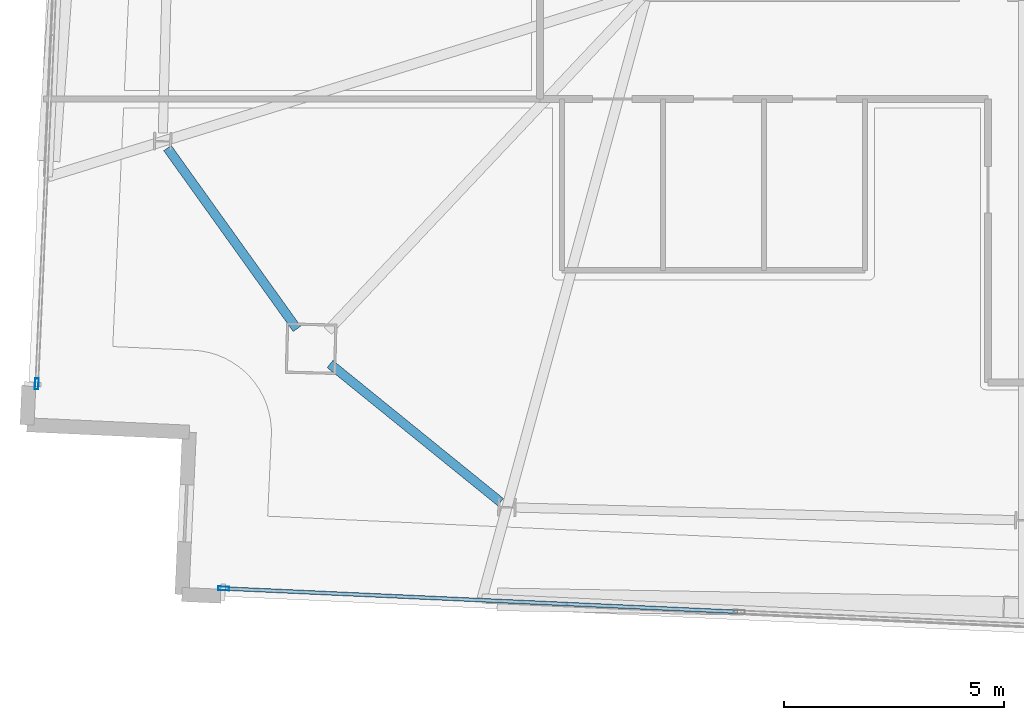
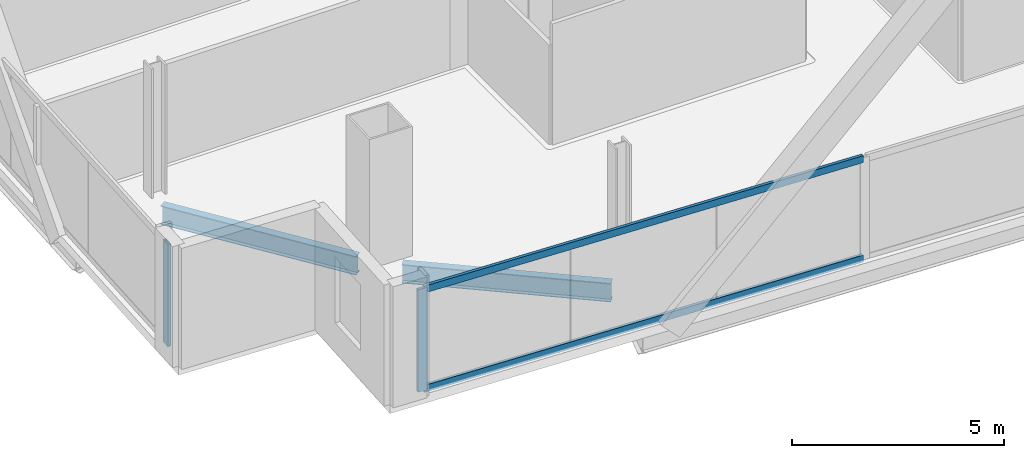
# One storey, part 2 of 26: 4 members, 2 beams, 2 elements without a shape of their own.
"""IFC4 building model written with IfcOpenShell, lengths in metres."""

import ifcopenshell
import ifcopenshell.guid

model = None  # the IFC model being written
_history = None  # IfcOwnerHistory: only IFC2X3 demands one
_inside = {}  # id of a spatial element -> (the spatial element, [elements in it])
_under = {}  # id of a project, library or spatial element -> (it, [spatial elements below it])
_declared = {}  # id of a project -> (the project, [libraries it declares])
_typed = {}  # id of a type object -> (the type object, [elements of that type])
_made_of = {}  # id of a material, layer set ... -> (it, [elements and type objects made of it])


def new_model(schema):
    """Start an empty IFC model of exactly this schema.

    Asked for "IFC4X3", IfcOpenShell would pick the latest addendum, in which some entities
    have other attributes; the version numbers below select the first issue.
    IFC2X3 requires an IfcOwnerHistory on every rooted entity: one is made here for all.
    """
    global model, _history
    if schema == "IFC4X3":
        model = ifcopenshell.file(schema_version=(4, 3, 0, 0))
    else:
        model = ifcopenshell.file(schema=schema)
    _inside.clear()
    _under.clear()
    _declared.clear()
    _typed.clear()
    _made_of.clear()
    _history = None
    if model.schema == "IFC2X3":
        org = make("IfcOrganization", Name="unknown")
        user = make(
            "IfcPersonAndOrganization",
            ThePerson=make("IfcPerson", FamilyName="unknown"),
            TheOrganization=org,
        )
        app = make(
            "IfcApplication",
            ApplicationDeveloper=org,
            Version="unknown",
            ApplicationFullName="unknown",
            ApplicationIdentifier="unknown",
        )
        _history = make(
            "IfcOwnerHistory",
            OwningUser=user,
            OwningApplication=app,
            ChangeAction="ADDED",
            CreationDate=0,
        )
    return model


def make(cls, **values):
    """One entity of the class cls with the attributes given. An attribute that is None is left unset."""
    return model.create_entity(
        cls, **{name: value for name, value in values.items() if value is not None}
    )


def rooted(cls, **values):
    """An entity with a GlobalId (a new one), such as an element, a storey or a relation."""
    return make(cls, GlobalId=ifcopenshell.guid.new(), OwnerHistory=_history, **values)


def si_unit(unit_type, name, prefix=None):
    """IfcSIUnit, for example si_unit("LENGTHUNIT", "METRE", prefix="MILLI")."""
    return make("IfcSIUnit", UnitType=unit_type, Prefix=prefix, Name=name)


def assignment(units):
    """IfcUnitAssignment: the units of a project."""
    return None if units is None else make("IfcUnitAssignment", Units=units)


def point(xyz):
    """IfcCartesianPoint."""
    return None if xyz is None else make("IfcCartesianPoint", Coordinates=xyz)


def direction(xyz):
    """IfcDirection."""
    return None if xyz is None else make("IfcDirection", DirectionRatios=xyz)


def frame(location, z_axis=None, x_axis=None):
    """IfcAxis2Placement3D, a coordinate frame: its origin and axes. An axis left out is left unset."""
    return make(
        "IfcAxis2Placement3D",
        Location=point(location),
        Axis=direction(z_axis),
        RefDirection=direction(x_axis),
    )


def frame_2d(location, x_axis=None):
    """IfcAxis2Placement2D, a coordinate frame in the plane: its origin and x axis."""
    return make(
        "IfcAxis2Placement2D", Location=point(location), RefDirection=direction(x_axis)
    )


def origin():
    """The frame at (0, 0, 0) with its axes left unset."""
    return frame((0.0, 0.0, 0.0))


def origin_2d():
    """The frame at (0, 0) in the plane with its x axis left unset."""
    return frame_2d((0.0, 0.0))


def place(relative_to, where):
    """IfcLocalPlacement: puts the frame where relative to a parent placement (None: the world)."""
    return make(
        "IfcLocalPlacement", PlacementRelTo=relative_to, RelativePlacement=where
    )


def context(
    kind, dimensions, precision=None, world=None, true_north=None, identifier=None
):
    """IfcGeometricRepresentationContext, for example the 3D "Model" context."""
    return make(
        "IfcGeometricRepresentationContext",
        ContextIdentifier=identifier,
        ContextType=kind,
        CoordinateSpaceDimension=dimensions,
        Precision=precision,
        WorldCoordinateSystem=world,
        TrueNorth=true_north,
    )


def subcontext(parent, identifier, kind, view, scale=None):
    """IfcGeometricRepresentationSubContext, for example "Body" below "Model"."""
    return make(
        "IfcGeometricRepresentationSubContext",
        ContextIdentifier=identifier,
        ContextType=kind,
        ParentContext=parent,
        TargetScale=scale,
        TargetView=view,
    )


def project(units=None, contexts=None):
    """IfcProject with its units and contexts."""
    return rooted(
        "IfcProject",
        Name="project",
        RepresentationContexts=contexts,
        UnitsInContext=assignment(units),
    )


def spatial(cls, under=None, at=None, **own):
    """A site, building, storey or space (cls), placed at a placement, below another one or the project."""
    s = rooted(cls, ObjectPlacement=at, **own)
    if under is not None:
        _under.setdefault(under.id(), (under, []))[1].append(s)
    return s


def profile(cls, at=None, kind="AREA", **sizes):
    """A parametric profile (cls). Its sizes go by their IFC names, for example OverallWidth=200.0."""
    return make(cls, ProfileType=kind, Position=at, **sizes)


def hollow_rectangle(**sizes):
    """IfcRectangleHollowProfileDef."""
    return profile("IfcRectangleHollowProfileDef", **sizes)


def i_section(**sizes):
    """IfcIShapeProfileDef."""
    return profile("IfcIShapeProfileDef", **sizes)


def extrude(swept, where, along, depth):
    """IfcExtrudedAreaSolid: the profile swept, set in the frame where, extruded along a direction by depth."""
    return make(
        "IfcExtrudedAreaSolid",
        SweptArea=swept,
        Position=where,
        ExtrudedDirection=direction(along),
        Depth=depth,
    )


def shape(context_of_items, identifier, shape_type, items):
    """IfcShapeRepresentation: the items that make up one representation, for example the "Body"."""
    return make(
        "IfcShapeRepresentation",
        ContextOfItems=context_of_items,
        RepresentationIdentifier=identifier,
        RepresentationType=shape_type,
        Items=items,
    )


def material(Name=None, Category=None):
    """IfcMaterial."""
    return make("IfcMaterial", Name=Name, Category=Category)


def material_profile(
    of_material, cross_section, Name=None, Category=None, Priority=None
):
    """IfcMaterialProfile: a cross section and its material."""
    return make(
        "IfcMaterialProfile",
        Name=Name,
        Material=of_material,
        Profile=cross_section,
        Priority=Priority,
        Category=Category,
    )


def profile_set(profiles, Name=None, composite=None):
    """IfcMaterialProfileSet."""
    return make(
        "IfcMaterialProfileSet",
        Name=Name,
        MaterialProfiles=profiles,
        CompositeProfile=composite,
    )


def made_of(thing, what):
    """Note that an element or type object is made of a material, layer set ...; save() writes the relation."""
    if what is not None:
        _made_of.setdefault(what.id(), (what, []))[1].append(thing)
    return thing


def type_object(cls, material=None, **own):
    """A type object (cls), such as IfcWallType, which elements share."""
    return made_of(rooted(cls, **own), material)


def element(
    cls,
    number,
    at=None,
    inside=None,
    cuts=None,
    type_object=None,
    material=None,
    context=None,
    identifier="Body",
    shape_type=None,
    held_by="IfcProductDefinitionShape",
    body=None,
    shapes=None,
    **own,
):
    """One element of the class cls, such as IfcWall. Its Tag is "e" and its number.

    at: its placement. inside: the storey or other place that contains it. cuts: it is an
    opening in that element (IfcRelVoidsElement). A single representation is given by context,
    identifier, shape_type and body (its items); several are given by shapes. held_by: the class
    of the entity that holds the representations. save() writes the other relations.
    """
    e = rooted(cls, Tag="e%d" % number, ObjectPlacement=at, **own)
    if body is not None:
        shapes = [shape(context, identifier, shape_type, body)]
    if shapes is not None:
        e.Representation = make(held_by, Representations=shapes)
    if inside is not None:
        _inside.setdefault(inside.id(), (inside, []))[1].append(e)
    if cuts is not None:
        rooted(
            "IfcRelVoidsElement", RelatingBuildingElement=cuts, RelatedOpeningElement=e
        )
    if type_object is not None:
        _typed.setdefault(type_object.id(), (type_object, []))[1].append(e)
    return made_of(e, material)


def aggregate(whole, parts):
    """IfcRelAggregates: a whole, such as a stair, and the parts it consists of."""
    return rooted("IfcRelAggregates", RelatingObject=whole, RelatedObjects=parts)


def save(model, path):
    """Write the relations noted so far, then the file.

    IfcRelAggregates (storeys below a building ...), IfcRelContainedInSpatialStructure (elements
    in a storey), IfcRelDefinesByType, IfcRelAssociatesMaterial and IfcRelDeclares: one each for
    every whole, place, type object, material and project.
    """
    for whole, parts in _under.values():
        aggregate(whole, parts)
    for where, things in _inside.values():
        rooted(
            "IfcRelContainedInSpatialStructure",
            RelatedElements=things,
            RelatingStructure=where,
        )
    for kind, things in _typed.values():
        rooted("IfcRelDefinesByType", RelatedObjects=things, RelatingType=kind)
    for what, things in _made_of.values():
        rooted("IfcRelAssociatesMaterial", RelatedObjects=things, RelatingMaterial=what)
    for by, libraries in _declared.values():
        rooted("IfcRelDeclares", RelatingContext=by, RelatedDefinitions=libraries)
    model.write(path)


model = new_model("IFC4")

# Units and contexts
model_context = context("Model", 3, precision=1e-05, world=origin(), true_north=direction((0.0, 1.0)))
body_context = subcontext(model_context, "Body", "Model", "MODEL_VIEW")
ifc_project = project(units=[si_unit("LENGTHUNIT", "METRE"), si_unit("AREAUNIT", "SQUARE_METRE"), si_unit("VOLUMEUNIT", "CUBIC_METRE"), si_unit("PLANEANGLEUNIT", "RADIAN"), si_unit("MASSUNIT", "GRAM", prefix="KILO")], contexts=[model_context])

# Site, building, storey
site_placement = place(None, origin())
site = spatial("IfcSite", under=ifc_project, at=site_placement, CompositionType="ELEMENT")
building_placement = place(site_placement, origin())
building = spatial("IfcBuilding", under=site, at=building_placement, Name="Haldenkirk Collegiate Tower", CompositionType="ELEMENT")
storey_placement = place(building_placement, frame((0.0, 0.0, 321.449951171875)))
storey = spatial("IfcBuildingStorey", under=building, at=storey_placement, Name="L81", CompositionType="ELEMENT", Elevation=321.449951171875)

# Beams
ifc_material_1 = material(Name="Steel ASTM A992 Grade 50", Category="steel")
ifc_material_profile_1 = material_profile(ifc_material_1, i_section(OverallWidth=0.2099609375, OverallDepth=0.537109375, WebThickness=0.010986328125, FlangeThickness=0.017333984375, at=origin_2d()), Name="W21X68")
ifc_profile_set_1 = profile_set([ifc_material_profile_1], Name="Steel ASTM A992 Grade 50")
beam_type = type_object("IfcBeamType", Name="BM-SPANDREL-W21X68", PredefinedType="SPANDREL", material=ifc_profile_set_1)
beam_1_placement = place(storey_placement, frame((16.064208984375, 14.434814453125, -0.528564453125), z_axis=(0.582300220922, -0.812973832737, 0.0), x_axis=(0.812973832737, 0.582300220922, 0.0)))
element("IfcBeam", 1, at=beam_1_placement, inside=storey, type_object=beam_type, Name="L81 perimeter spandrel beam 12", PredefinedType="SPANDREL", context=body_context, shape_type="SweptSolid", body=[
    extrude(i_section(OverallWidth=0.2099609375, OverallDepth=0.537109375, WebThickness=0.010986328125, FlangeThickness=0.017333984375, at=origin_2d()), origin(), (0.0, 0.0, 1.0), 5.064453125),
])
beam_2_placement = place(storey_placement, frame((19.767578125, 9.51708984375, -0.528564453125), z_axis=(0.776950131303, -0.629562144247, 0.0), x_axis=(0.629562144247, 0.776950131303, 0.0)))
element("IfcBeam", 2, at=beam_2_placement, inside=storey, type_object=beam_type, Name="L81 perimeter spandrel beam 13", PredefinedType="SPANDREL", context=body_context, shape_type="SweptSolid", body=[
    extrude(i_section(OverallWidth=0.2099609375, OverallDepth=0.537109375, WebThickness=0.010986328125, FlangeThickness=0.017333984375, at=origin_2d()), origin(), (0.0, 0.0, 1.0), 4.99755859375),
])

# Curtain wall, member
ifc_material_2 = material(Name="Anodised architectural bronze aluminium", Category="aluminium")
curtain_wall_type = type_object("IfcCurtainWallType", Name="CW-SYS1B-CONVEX-HI", PredefinedType="USERDEFINED", material=ifc_material_2)
curtain_wall_1_placement = place(storey_placement, origin())
curtain_wall_1 = element("IfcCurtainWall", 3, at=curtain_wall_1_placement, inside=storey, type_object=curtain_wall_type, Name="L81 Upper tower high-wind convex bronze unitised curtain wall", ObjectType="UNITISED CURTAIN WALL", PredefinedType="USERDEFINED")
ifc_material_profile_2 = material_profile(ifc_material_2, hollow_rectangle(XDim=0.0849609375, YDim=0.25, WallThickness=0.0048828125, at=origin_2d()), Name="CW-MUL-1B")
ifc_profile_set_2 = profile_set([ifc_material_profile_2], Name="Anodised architectural bronze aluminium")
member_type_1 = type_object("IfcMemberType", Name="CW-MUL-1B", PredefinedType="MULLION", material=ifc_profile_set_2)
member_1_placement = place(storey_placement, frame((13.088134765625, 9.064453125, 0.0), z_axis=(0.0, 0.0, 1.0), x_axis=(-0.998970520939, 0.045364063906, 0.0)))
member_1 = element("IfcMember", 4, at=member_1_placement, type_object=member_type_1, Name="CW-1B mullion 1", PredefinedType="MULLION", context=body_context, shape_type="SweptSolid", body=[
    extrude(hollow_rectangle(XDim=0.0849609375, YDim=0.25, WallThickness=0.0048828125, at=origin_2d()), origin(), (0.0, 0.0, 1.0), 2.947998046875),
])
aggregate(curtain_wall_1, [member_1])

# Curtain wall, members
curtain_wall_2_placement = place(storey_placement, origin())
curtain_wall_2 = element("IfcCurtainWall", 5, at=curtain_wall_2_placement, inside=storey, type_object=curtain_wall_type, Name="L81 Upper tower high-wind convex bronze unitised curtain wall", ObjectType="UNITISED CURTAIN WALL", PredefinedType="USERDEFINED")
member_2_placement = place(storey_placement, frame((17.34375, 4.404052734375, 0.0), z_axis=(0.0, 0.0, 1.0), x_axis=(-0.045364478326, -0.99897050212, 0.0)))
member_2 = element("IfcMember", 6, at=member_2_placement, type_object=member_type_1, Name="CW-1B mullion 4", PredefinedType="MULLION", context=body_context, shape_type="SweptSolid", body=[
    extrude(hollow_rectangle(XDim=0.0849609375, YDim=0.25, WallThickness=0.0048828125, at=origin_2d()), origin(), (0.0, 0.0, 1.0), 2.947998046875),
])
ifc_material_profile_3 = material_profile(ifc_material_2, hollow_rectangle(XDim=0.0849609375, YDim=0.199951171875, WallThickness=0.0048828125, at=origin_2d()), Name="CW-TRN-1B")
ifc_profile_set_3 = profile_set([ifc_material_profile_3], Name="Anodised architectural bronze aluminium")
member_type_2 = type_object("IfcMemberType", Name="CW-TRN-1B", PredefinedType="USERDEFINED", material=ifc_profile_set_3)
member_3_placement = place(storey_placement, frame((29.046630859375, 3.87255859375, 0.04248046875), z_axis=(-0.998970393788, 0.045366863846, 0.0), x_axis=(-0.045366863846, -0.998970393788, 0.0)))
member_3 = element("IfcMember", 7, at=member_3_placement, type_object=member_type_2, Name="CW-1B transom 3.1", ObjectType="TRANSOM", PredefinedType="USERDEFINED", context=body_context, shape_type="SweptSolid", body=[
    extrude(hollow_rectangle(XDim=0.0849609375, YDim=0.199951171875, WallThickness=0.0048828125, at=origin_2d()), origin(), (0.0, 0.0, 1.0), 11.67236328125),
])
member_4_placement = place(storey_placement, frame((29.046630859375, 3.87255859375, 2.905517578125), z_axis=(-0.998970393788, 0.045366863846, 0.0), x_axis=(-0.045366863846, -0.998970393788, 0.0)))
member_4 = element("IfcMember", 8, at=member_4_placement, type_object=member_type_2, Name="CW-1B transom 3.2", ObjectType="TRANSOM", PredefinedType="USERDEFINED", context=body_context, shape_type="SweptSolid", body=[
    extrude(hollow_rectangle(XDim=0.0849609375, YDim=0.199951171875, WallThickness=0.0048828125, at=origin_2d()), origin(), (0.0, 0.0, 1.0), 11.67236328125),
])
aggregate(curtain_wall_2, [member_2, member_3, member_4])

save(model, "model.ifc")
